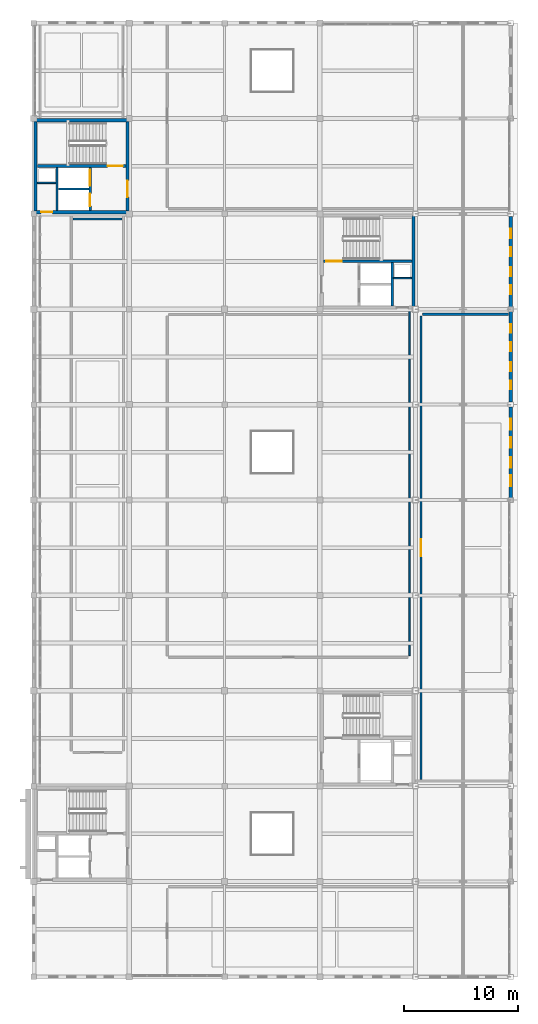
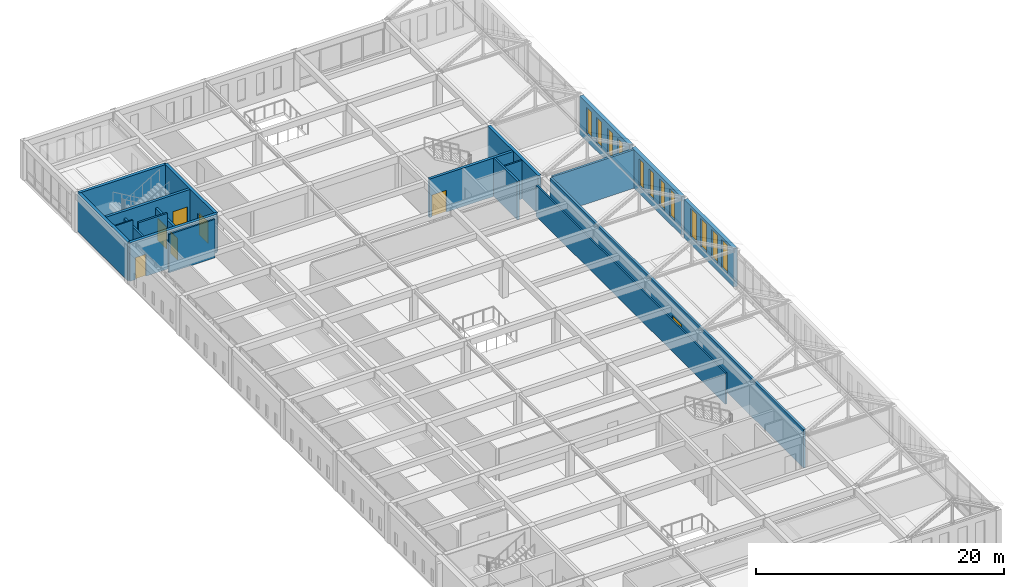
# One storey, part 31 of 36: 20 walls, 12 windows, 7 doors, 19 openings.
"""IFC4 building model written with IfcOpenShell, lengths in metres."""

import ifcopenshell
import ifcopenshell.guid

model = None  # the IFC model being written
_history = None  # IfcOwnerHistory: only IFC2X3 demands one
_inside = {}  # id of a spatial element -> (the spatial element, [elements in it])
_under = {}  # id of a project, library or spatial element -> (it, [spatial elements below it])
_declared = {}  # id of a project -> (the project, [libraries it declares])
_typed = {}  # id of a type object -> (the type object, [elements of that type])
_made_of = {}  # id of a material, layer set ... -> (it, [elements and type objects made of it])


def new_model(schema):
    """Start an empty IFC model of exactly this schema.

    Asked for "IFC4X3", IfcOpenShell would pick the latest addendum, in which some entities
    have other attributes; the version numbers below select the first issue.
    IFC2X3 requires an IfcOwnerHistory on every rooted entity: one is made here for all.
    """
    global model, _history
    if schema == "IFC4X3":
        model = ifcopenshell.file(schema_version=(4, 3, 0, 0))
    else:
        model = ifcopenshell.file(schema=schema)
    _inside.clear()
    _under.clear()
    _declared.clear()
    _typed.clear()
    _made_of.clear()
    _history = None
    if model.schema == "IFC2X3":
        org = make("IfcOrganization", Name="unknown")
        user = make(
            "IfcPersonAndOrganization",
            ThePerson=make("IfcPerson", FamilyName="unknown"),
            TheOrganization=org,
        )
        app = make(
            "IfcApplication",
            ApplicationDeveloper=org,
            Version="unknown",
            ApplicationFullName="unknown",
            ApplicationIdentifier="unknown",
        )
        _history = make(
            "IfcOwnerHistory",
            OwningUser=user,
            OwningApplication=app,
            ChangeAction="ADDED",
            CreationDate=0,
        )
    return model


def make(cls, **values):
    """One entity of the class cls with the attributes given. An attribute that is None is left unset."""
    return model.create_entity(
        cls, **{name: value for name, value in values.items() if value is not None}
    )


def rooted(cls, **values):
    """An entity with a GlobalId (a new one), such as an element, a storey or a relation."""
    return make(cls, GlobalId=ifcopenshell.guid.new(), OwnerHistory=_history, **values)


def si_unit(unit_type, name, prefix=None):
    """IfcSIUnit, for example si_unit("LENGTHUNIT", "METRE", prefix="MILLI")."""
    return make("IfcSIUnit", UnitType=unit_type, Prefix=prefix, Name=name)


def assignment(units):
    """IfcUnitAssignment: the units of a project."""
    return None if units is None else make("IfcUnitAssignment", Units=units)


def point(xyz):
    """IfcCartesianPoint."""
    return None if xyz is None else make("IfcCartesianPoint", Coordinates=xyz)


def direction(xyz):
    """IfcDirection."""
    return None if xyz is None else make("IfcDirection", DirectionRatios=xyz)


def frame(location, z_axis=None, x_axis=None):
    """IfcAxis2Placement3D, a coordinate frame: its origin and axes. An axis left out is left unset."""
    return make(
        "IfcAxis2Placement3D",
        Location=point(location),
        Axis=direction(z_axis),
        RefDirection=direction(x_axis),
    )


def frame_2d(location, x_axis=None):
    """IfcAxis2Placement2D, a coordinate frame in the plane: its origin and x axis."""
    return make(
        "IfcAxis2Placement2D", Location=point(location), RefDirection=direction(x_axis)
    )


def origin():
    """The frame at (0, 0, 0) with its axes left unset."""
    return frame((0.0, 0.0, 0.0))


def place(relative_to, where):
    """IfcLocalPlacement: puts the frame where relative to a parent placement (None: the world)."""
    return make(
        "IfcLocalPlacement", PlacementRelTo=relative_to, RelativePlacement=where
    )


def context(
    kind, dimensions, precision=None, world=None, true_north=None, identifier=None
):
    """IfcGeometricRepresentationContext, for example the 3D "Model" context."""
    return make(
        "IfcGeometricRepresentationContext",
        ContextIdentifier=identifier,
        ContextType=kind,
        CoordinateSpaceDimension=dimensions,
        Precision=precision,
        WorldCoordinateSystem=world,
        TrueNorth=true_north,
    )


def subcontext(parent, identifier, kind, view, scale=None):
    """IfcGeometricRepresentationSubContext, for example "Body" below "Model"."""
    return make(
        "IfcGeometricRepresentationSubContext",
        ContextIdentifier=identifier,
        ContextType=kind,
        ParentContext=parent,
        TargetScale=scale,
        TargetView=view,
    )


def project(units=None, contexts=None):
    """IfcProject with its units and contexts."""
    return rooted(
        "IfcProject",
        Name="project",
        RepresentationContexts=contexts,
        UnitsInContext=assignment(units),
    )


def spatial(cls, under=None, at=None, **own):
    """A site, building, storey or space (cls), placed at a placement, below another one or the project."""
    s = rooted(cls, ObjectPlacement=at, **own)
    if under is not None:
        _under.setdefault(under.id(), (under, []))[1].append(s)
    return s


def profile(cls, at=None, kind="AREA", **sizes):
    """A parametric profile (cls). Its sizes go by their IFC names, for example OverallWidth=200.0."""
    return make(cls, ProfileType=kind, Position=at, **sizes)


def rectangle(**sizes):
    """IfcRectangleProfileDef."""
    return profile("IfcRectangleProfileDef", **sizes)


def extrude(swept, where, along, depth):
    """IfcExtrudedAreaSolid: the profile swept, set in the frame where, extruded along a direction by depth."""
    return make(
        "IfcExtrudedAreaSolid",
        SweptArea=swept,
        Position=where,
        ExtrudedDirection=direction(along),
        Depth=depth,
    )


def shape(context_of_items, identifier, shape_type, items):
    """IfcShapeRepresentation: the items that make up one representation, for example the "Body"."""
    return make(
        "IfcShapeRepresentation",
        ContextOfItems=context_of_items,
        RepresentationIdentifier=identifier,
        RepresentationType=shape_type,
        Items=items,
    )


def material(Name=None, Category=None):
    """IfcMaterial."""
    return make("IfcMaterial", Name=Name, Category=Category)


def layer(
    of_material, thickness, ventilated=None, Name=None, Category=None, Priority=None
):
    """IfcMaterialLayer: one layer of a wall or slab, of a material (None: an air gap)."""
    return make(
        "IfcMaterialLayer",
        Material=of_material,
        LayerThickness=thickness,
        IsVentilated=ventilated,
        Name=Name,
        Category=Category,
        Priority=Priority,
    )


def layer_set(layers, Name=None):
    """IfcMaterialLayerSet."""
    return make("IfcMaterialLayerSet", MaterialLayers=layers, LayerSetName=Name)


def made_of(thing, what):
    """Note that an element or type object is made of a material, layer set ...; save() writes the relation."""
    if what is not None:
        _made_of.setdefault(what.id(), (what, []))[1].append(thing)
    return thing


def type_object(cls, material=None, **own):
    """A type object (cls), such as IfcWallType, which elements share."""
    return made_of(rooted(cls, **own), material)


def element(
    cls,
    number,
    at=None,
    inside=None,
    cuts=None,
    type_object=None,
    material=None,
    context=None,
    identifier="Body",
    shape_type=None,
    held_by="IfcProductDefinitionShape",
    body=None,
    shapes=None,
    **own,
):
    """One element of the class cls, such as IfcWall. Its Tag is "e" and its number.

    at: its placement. inside: the storey or other place that contains it. cuts: it is an
    opening in that element (IfcRelVoidsElement). A single representation is given by context,
    identifier, shape_type and body (its items); several are given by shapes. held_by: the class
    of the entity that holds the representations. save() writes the other relations.
    """
    e = rooted(cls, Tag="e%d" % number, ObjectPlacement=at, **own)
    if body is not None:
        shapes = [shape(context, identifier, shape_type, body)]
    if shapes is not None:
        e.Representation = make(held_by, Representations=shapes)
    if inside is not None:
        _inside.setdefault(inside.id(), (inside, []))[1].append(e)
    if cuts is not None:
        rooted(
            "IfcRelVoidsElement", RelatingBuildingElement=cuts, RelatedOpeningElement=e
        )
    if type_object is not None:
        _typed.setdefault(type_object.id(), (type_object, []))[1].append(e)
    return made_of(e, material)


def fill(opening, filler):
    """IfcRelFillsElement: the door or window that sits in an opening."""
    return rooted(
        "IfcRelFillsElement",
        RelatingOpeningElement=opening,
        RelatedBuildingElement=filler,
    )


def aggregate(whole, parts):
    """IfcRelAggregates: a whole, such as a stair, and the parts it consists of."""
    return rooted("IfcRelAggregates", RelatingObject=whole, RelatedObjects=parts)


def save(model, path):
    """Write the relations noted so far, then the file.

    IfcRelAggregates (storeys below a building ...), IfcRelContainedInSpatialStructure (elements
    in a storey), IfcRelDefinesByType, IfcRelAssociatesMaterial and IfcRelDeclares: one each for
    every whole, place, type object, material and project.
    """
    for whole, parts in _under.values():
        aggregate(whole, parts)
    for where, things in _inside.values():
        rooted(
            "IfcRelContainedInSpatialStructure",
            RelatedElements=things,
            RelatingStructure=where,
        )
    for kind, things in _typed.values():
        rooted("IfcRelDefinesByType", RelatedObjects=things, RelatingType=kind)
    for what, things in _made_of.values():
        rooted("IfcRelAssociatesMaterial", RelatedObjects=things, RelatingMaterial=what)
    for by, libraries in _declared.values():
        rooted("IfcRelDeclares", RelatingContext=by, RelatedDefinitions=libraries)
    model.write(path)


model = new_model("IFC4")

# Units and contexts
model_context = context("Model", 3, precision=1e-05, world=origin(), true_north=direction((0.0, 1.0)))
body_context = subcontext(model_context, "Body", "Model", "MODEL_VIEW")
ifc_project = project(units=[si_unit("LENGTHUNIT", "METRE"), si_unit("AREAUNIT", "SQUARE_METRE"), si_unit("VOLUMEUNIT", "CUBIC_METRE"), si_unit("PLANEANGLEUNIT", "RADIAN"), si_unit("MASSUNIT", "GRAM", prefix="KILO")], contexts=[model_context])

# Site, building, storey
site_placement = place(None, origin())
site = spatial("IfcSite", under=ifc_project, at=site_placement, CompositionType="ELEMENT")
building_placement = place(site_placement, origin())
building = spatial("IfcBuilding", under=site, at=building_placement, Name="Kveldsbrygga Polytechnic", CompositionType="ELEMENT")
storey_placement = place(building_placement, frame((0.0, 0.0, 22.10009765625)))
storey = spatial("IfcBuildingStorey", under=building, at=storey_placement, Name="L05", CompositionType="ELEMENT", Elevation=22.10009765625)

# Wall, openings, windows
ifc_material_1 = material(Name="Fired clay brick masonry M10", Category="masonry")
ifc_layer_1 = layer(ifc_material_1, 0.340087890625)
ifc_layer_set_1 = layer_set([ifc_layer_1], Name="Fired clay brick masonry M10")
wall_type_1 = type_object("IfcWallType", Name="EW-BRICK-340", PredefinedType="SOLIDWALL", material=ifc_layer_set_1)
wall_1_placement = place(storey_placement, frame((168.0, 58.985107421875, 0.0), z_axis=(0.0, 0.0, 1.0), x_axis=(0.0, 1.0, 0.0)))
wall_1 = element("IfcWall", 1, at=wall_1_placement, inside=storey, type_object=wall_type_1, Name="Exterior Brick Wall EW-L05-Y-20-07", PredefinedType="SOLIDWALL", context=body_context, shape_type="SweptSolid", body=[
    extrude(rectangle(XDim=8.0048828125, YDim=0.340087890625, at=frame_2d((4.00244140625, 0.0))), origin(), (0.0, 0.0, 1.0), 3.77978515625),
])
opening_1_placement = place(wall_1_placement, frame((1.0458984375, 0.0, 0.75)))
opening_1 = element("IfcOpeningElement", 2, at=opening_1_placement, cuts=wall_1, Name="Opening W-46", PredefinedType="OPENING", context=body_context, shape_type="SweptSolid", body=[
    extrude(rectangle(XDim=0.949951171875, YDim=2.800048828125, at=frame_2d((0.47509765625, 1.39990234375))), frame((0.0, 0.18017578125, 0.0), z_axis=(0.0, -1.0, 0.0), x_axis=(1.0, 0.0, 0.0)), (0.0, 0.0, 1.0), 0.360107421875),
])
opening_2_placement = place(wall_1_placement, frame((2.64697265625, 0.0, 0.75)))
opening_2 = element("IfcOpeningElement", 3, at=opening_2_placement, cuts=wall_1, Name="Opening W-46", PredefinedType="OPENING", context=body_context, shape_type="SweptSolid", body=[
    extrude(rectangle(XDim=0.949951171875, YDim=2.800048828125, at=frame_2d((0.47509765625, 1.39990234375))), frame((0.0, 0.18017578125, 0.0), z_axis=(0.0, -1.0, 0.0), x_axis=(1.0, 0.0, 0.0)), (0.0, 0.0, 1.0), 0.360107421875),
])
opening_3_placement = place(wall_1_placement, frame((4.407958984375, 0.0, 0.75)))
opening_3 = element("IfcOpeningElement", 4, at=opening_3_placement, cuts=wall_1, Name="Opening W-46", PredefinedType="OPENING", context=body_context, shape_type="SweptSolid", body=[
    extrude(rectangle(XDim=0.949951171875, YDim=2.800048828125, at=frame_2d((0.47509765625, 1.39990234375))), frame((0.0, 0.18017578125, 0.0), z_axis=(0.0, -1.0, 0.0), x_axis=(1.0, 0.0, 0.0)), (0.0, 0.0, 1.0), 0.360107421875),
])
opening_4_placement = place(wall_1_placement, frame((6.009033203125, 0.0, 0.75)))
opening_4 = element("IfcOpeningElement", 5, at=opening_4_placement, cuts=wall_1, Name="Opening W-46", PredefinedType="OPENING", context=body_context, shape_type="SweptSolid", body=[
    extrude(rectangle(XDim=0.949951171875, YDim=2.800048828125, at=frame_2d((0.47509765625, 1.39990234375))), frame((0.0, 0.18017578125, 0.0), z_axis=(0.0, -1.0, 0.0), x_axis=(1.0, 0.0, 0.0)), (0.0, 0.0, 1.0), 0.360107421875),
])
ifc_material_2 = material(Name="Insulated triple low-E glass", Category="glass")
window_type_1 = type_object("IfcWindowType", Name="WN-LANC-095x280", PartitioningType="DOUBLE_PANEL_VERTICAL", PredefinedType="WINDOW", material=ifc_material_2)
window_1_placement = place(opening_1_placement, origin())
window_1 = element("IfcWindow", 6, at=window_1_placement, inside=storey, type_object=window_type_1, Name="Gothic Lancet Window WIN-L05-Y-20-07-1", OverallHeight=2.800048828125, OverallWidth=0.949951171875, PartitioningType="DOUBLE_PANEL_VERTICAL", PredefinedType="WINDOW", context=body_context, shape_type="SweptSolid", body=[
    extrude(rectangle(XDim=0.949951171875, YDim=2.800048828125, at=frame_2d((0.47509765625, 1.39990234375))), frame((0.0, 0.030029296875, 0.0), z_axis=(0.0, -1.0, 0.0), x_axis=(1.0, 0.0, 0.0)), (0.0, 0.0, 1.0), 0.06005859375),
])
fill(opening_1, window_1)
window_2_placement = place(opening_2_placement, origin())
window_2 = element("IfcWindow", 7, at=window_2_placement, inside=storey, type_object=window_type_1, Name="Gothic Lancet Window WIN-L05-Y-20-07-2", OverallHeight=2.800048828125, OverallWidth=0.949951171875, PartitioningType="DOUBLE_PANEL_VERTICAL", PredefinedType="WINDOW", context=body_context, shape_type="SweptSolid", body=[
    extrude(rectangle(XDim=0.949951171875, YDim=2.800048828125, at=frame_2d((0.47509765625, 1.39990234375))), frame((0.0, 0.030029296875, 0.0), z_axis=(0.0, -1.0, 0.0), x_axis=(1.0, 0.0, 0.0)), (0.0, 0.0, 1.0), 0.06005859375),
])
fill(opening_2, window_2)
window_3_placement = place(opening_3_placement, origin())
window_3 = element("IfcWindow", 8, at=window_3_placement, inside=storey, type_object=window_type_1, Name="Gothic Lancet Window WIN-L05-Y-20-07-3", OverallHeight=2.800048828125, OverallWidth=0.949951171875, PartitioningType="DOUBLE_PANEL_VERTICAL", PredefinedType="WINDOW", context=body_context, shape_type="SweptSolid", body=[
    extrude(rectangle(XDim=0.949951171875, YDim=2.800048828125, at=frame_2d((0.47509765625, 1.39990234375))), frame((0.0, 0.030029296875, 0.0), z_axis=(0.0, -1.0, 0.0), x_axis=(1.0, 0.0, 0.0)), (0.0, 0.0, 1.0), 0.06005859375),
])
fill(opening_3, window_3)
window_4_placement = place(opening_4_placement, origin())
window_4 = element("IfcWindow", 9, at=window_4_placement, inside=storey, type_object=window_type_1, Name="Gothic Lancet Window WIN-L05-Y-20-07-4", OverallHeight=2.800048828125, OverallWidth=0.949951171875, PartitioningType="DOUBLE_PANEL_VERTICAL", PredefinedType="WINDOW", context=body_context, shape_type="SweptSolid", body=[
    extrude(rectangle(XDim=0.949951171875, YDim=2.800048828125, at=frame_2d((0.47509765625, 1.39990234375))), frame((0.0, 0.030029296875, 0.0), z_axis=(0.0, -1.0, 0.0), x_axis=(1.0, 0.0, 0.0)), (0.0, 0.0, 1.0), 0.06005859375),
])
fill(opening_4, window_4)

wall_2_placement = place(storey_placement, frame((168.0, 67.409912109375, 0.0), z_axis=(0.0, 0.0, 1.0), x_axis=(0.0, 1.0, 0.0)))
wall_2 = element("IfcWall", 10, at=wall_2_placement, inside=storey, type_object=wall_type_1, Name="Exterior Brick Wall EW-L05-Y-20-08", PredefinedType="SOLIDWALL", context=body_context, shape_type="SweptSolid", body=[
    extrude(rectangle(XDim=8.005126953125, YDim=0.340087890625, at=frame_2d((4.00244140625, 0.0))), origin(), (0.0, 0.0, 1.0), 3.77978515625),
])
opening_5_placement = place(wall_2_placement, frame((1.140869140625, 0.0, 0.75)))
opening_5 = element("IfcOpeningElement", 11, at=opening_5_placement, cuts=wall_2, Name="Opening W-05", PredefinedType="OPENING", context=body_context, shape_type="SweptSolid", body=[
    extrude(rectangle(XDim=0.760009765625, YDim=2.64990234375, at=frame_2d((0.3798828125, 1.324951171875))), frame((0.0, 0.18017578125, 0.0), z_axis=(0.0, -1.0, 0.0), x_axis=(1.0, 0.0, 0.0)), (0.0, 0.0, 1.0), 0.360107421875),
])
opening_6_placement = place(wall_2_placement, frame((2.741943359375, 0.0, 0.75)))
opening_6 = element("IfcOpeningElement", 12, at=opening_6_placement, cuts=wall_2, Name="Opening W-05", PredefinedType="OPENING", context=body_context, shape_type="SweptSolid", body=[
    extrude(rectangle(XDim=0.760009765625, YDim=2.64990234375, at=frame_2d((0.3798828125, 1.324951171875))), frame((0.0, 0.18017578125, 0.0), z_axis=(0.0, -1.0, 0.0), x_axis=(1.0, 0.0, 0.0)), (0.0, 0.0, 1.0), 0.360107421875),
])
opening_7_placement = place(wall_2_placement, frame((4.5029296875, 0.0, 0.75)))
opening_7 = element("IfcOpeningElement", 13, at=opening_7_placement, cuts=wall_2, Name="Opening W-05", PredefinedType="OPENING", context=body_context, shape_type="SweptSolid", body=[
    extrude(rectangle(XDim=0.760009765625, YDim=2.64990234375, at=frame_2d((0.3798828125, 1.324951171875))), frame((0.0, 0.18017578125, 0.0), z_axis=(0.0, -1.0, 0.0), x_axis=(1.0, 0.0, 0.0)), (0.0, 0.0, 1.0), 0.360107421875),
])
opening_8_placement = place(wall_2_placement, frame((6.10400390625, 0.0, 0.75)))
opening_8 = element("IfcOpeningElement", 14, at=opening_8_placement, cuts=wall_2, Name="Opening W-05", PredefinedType="OPENING", context=body_context, shape_type="SweptSolid", body=[
    extrude(rectangle(XDim=0.760009765625, YDim=2.64990234375, at=frame_2d((0.3798828125, 1.324951171875))), frame((0.0, 0.18017578125, 0.0), z_axis=(0.0, -1.0, 0.0), x_axis=(1.0, 0.0, 0.0)), (0.0, 0.0, 1.0), 0.360107421875),
])
window_type_2 = type_object("IfcWindowType", Name="WN-LANC-076x265", PartitioningType="DOUBLE_PANEL_VERTICAL", PredefinedType="WINDOW", material=ifc_material_2)
window_5_placement = place(opening_5_placement, origin())
window_5 = element("IfcWindow", 15, at=window_5_placement, inside=storey, type_object=window_type_2, Name="Gothic Lancet Window WIN-L05-Y-20-08-1", OverallHeight=2.64990234375, OverallWidth=0.760009765625, PartitioningType="DOUBLE_PANEL_VERTICAL", PredefinedType="WINDOW", context=body_context, shape_type="SweptSolid", body=[
    extrude(rectangle(XDim=0.760009765625, YDim=2.64990234375, at=frame_2d((0.3798828125, 1.324951171875))), frame((0.0, 0.030029296875, 0.0), z_axis=(0.0, -1.0, 0.0), x_axis=(1.0, 0.0, 0.0)), (0.0, 0.0, 1.0), 0.06005859375),
])
fill(opening_5, window_5)
window_6_placement = place(opening_6_placement, origin())
window_6 = element("IfcWindow", 16, at=window_6_placement, inside=storey, type_object=window_type_2, Name="Gothic Lancet Window WIN-L05-Y-20-08-2", OverallHeight=2.64990234375, OverallWidth=0.760009765625, PartitioningType="DOUBLE_PANEL_VERTICAL", PredefinedType="WINDOW", context=body_context, shape_type="SweptSolid", body=[
    extrude(rectangle(XDim=0.760009765625, YDim=2.64990234375, at=frame_2d((0.3798828125, 1.324951171875))), frame((0.0, 0.030029296875, 0.0), z_axis=(0.0, -1.0, 0.0), x_axis=(1.0, 0.0, 0.0)), (0.0, 0.0, 1.0), 0.06005859375),
])
fill(opening_6, window_6)
window_7_placement = place(opening_7_placement, origin())
window_7 = element("IfcWindow", 17, at=window_7_placement, inside=storey, type_object=window_type_2, Name="Gothic Lancet Window WIN-L05-Y-20-08-3", OverallHeight=2.64990234375, OverallWidth=0.760009765625, PartitioningType="DOUBLE_PANEL_VERTICAL", PredefinedType="WINDOW", context=body_context, shape_type="SweptSolid", body=[
    extrude(rectangle(XDim=0.760009765625, YDim=2.64990234375, at=frame_2d((0.3798828125, 1.324951171875))), frame((0.0, 0.030029296875, 0.0), z_axis=(0.0, -1.0, 0.0), x_axis=(1.0, 0.0, 0.0)), (0.0, 0.0, 1.0), 0.06005859375),
])
fill(opening_7, window_7)
window_8_placement = place(opening_8_placement, origin())
window_8 = element("IfcWindow", 18, at=window_8_placement, inside=storey, type_object=window_type_2, Name="Gothic Lancet Window WIN-L05-Y-20-08-4", OverallHeight=2.64990234375, OverallWidth=0.760009765625, PartitioningType="DOUBLE_PANEL_VERTICAL", PredefinedType="WINDOW", context=body_context, shape_type="SweptSolid", body=[
    extrude(rectangle(XDim=0.760009765625, YDim=2.64990234375, at=frame_2d((0.3798828125, 1.324951171875))), frame((0.0, 0.030029296875, 0.0), z_axis=(0.0, -1.0, 0.0), x_axis=(1.0, 0.0, 0.0)), (0.0, 0.0, 1.0), 0.06005859375),
])
fill(opening_8, window_8)

wall_3_placement = place(storey_placement, frame((168.0, 75.784912109375, 0.0), z_axis=(0.0, 0.0, 1.0), x_axis=(0.0, 1.0, 0.0)))
wall_3 = element("IfcWall", 19, at=wall_3_placement, inside=storey, type_object=wall_type_1, Name="Exterior Brick Wall EW-L05-Y-20-09", PredefinedType="SOLIDWALL", context=body_context, shape_type="SweptSolid", body=[
    extrude(rectangle(XDim=8.005126953125, YDim=0.340087890625, at=frame_2d((4.00244140625, 0.0))), origin(), (0.0, 0.0, 1.0), 3.77978515625),
])
opening_9_placement = place(wall_3_placement, frame((1.120849609375, 0.0, 0.75)))
opening_9 = element("IfcOpeningElement", 20, at=opening_9_placement, cuts=wall_3, Name="Opening W-10", PredefinedType="OPENING", context=body_context, shape_type="SweptSolid", body=[
    extrude(rectangle(XDim=0.800048828125, YDim=2.550048828125, at=frame_2d((0.39990234375, 1.27490234375))), frame((0.0, 0.18017578125, 0.0), z_axis=(0.0, -1.0, 0.0), x_axis=(1.0, 0.0, 0.0)), (0.0, 0.0, 1.0), 0.360107421875),
])
opening_10_placement = place(wall_3_placement, frame((2.721923828125, 0.0, 0.75)))
opening_10 = element("IfcOpeningElement", 21, at=opening_10_placement, cuts=wall_3, Name="Opening W-10", PredefinedType="OPENING", context=body_context, shape_type="SweptSolid", body=[
    extrude(rectangle(XDim=0.800048828125, YDim=2.550048828125, at=frame_2d((0.39990234375, 1.27490234375))), frame((0.0, 0.18017578125, 0.0), z_axis=(0.0, -1.0, 0.0), x_axis=(1.0, 0.0, 0.0)), (0.0, 0.0, 1.0), 0.360107421875),
])
opening_11_placement = place(wall_3_placement, frame((4.483154296875, 0.0, 0.75)))
opening_11 = element("IfcOpeningElement", 22, at=opening_11_placement, cuts=wall_3, Name="Opening W-10", PredefinedType="OPENING", context=body_context, shape_type="SweptSolid", body=[
    extrude(rectangle(XDim=0.800048828125, YDim=2.550048828125, at=frame_2d((0.39990234375, 1.27490234375))), frame((0.0, 0.18017578125, 0.0), z_axis=(0.0, -1.0, 0.0), x_axis=(1.0, 0.0, 0.0)), (0.0, 0.0, 1.0), 0.360107421875),
])
opening_12_placement = place(wall_3_placement, frame((6.083984375, 0.0, 0.75)))
opening_12 = element("IfcOpeningElement", 23, at=opening_12_placement, cuts=wall_3, Name="Opening W-10", PredefinedType="OPENING", context=body_context, shape_type="SweptSolid", body=[
    extrude(rectangle(XDim=0.800048828125, YDim=2.550048828125, at=frame_2d((0.39990234375, 1.27490234375))), frame((0.0, 0.18017578125, 0.0), z_axis=(0.0, -1.0, 0.0), x_axis=(1.0, 0.0, 0.0)), (0.0, 0.0, 1.0), 0.360107421875),
])
window_type_3 = type_object("IfcWindowType", Name="WN-LANC-080x255", PartitioningType="DOUBLE_PANEL_VERTICAL", PredefinedType="WINDOW", material=ifc_material_2)
window_9_placement = place(opening_9_placement, origin())
window_9 = element("IfcWindow", 24, at=window_9_placement, inside=storey, type_object=window_type_3, Name="Gothic Lancet Window WIN-L05-Y-20-09-1", OverallHeight=2.550048828125, OverallWidth=0.800048828125, PartitioningType="DOUBLE_PANEL_VERTICAL", PredefinedType="WINDOW", context=body_context, shape_type="SweptSolid", body=[
    extrude(rectangle(XDim=0.800048828125, YDim=2.550048828125, at=frame_2d((0.39990234375, 1.27490234375))), frame((0.0, 0.030029296875, 0.0), z_axis=(0.0, -1.0, 0.0), x_axis=(1.0, 0.0, 0.0)), (0.0, 0.0, 1.0), 0.06005859375),
])
fill(opening_9, window_9)
window_10_placement = place(opening_10_placement, origin())
window_10 = element("IfcWindow", 25, at=window_10_placement, inside=storey, type_object=window_type_3, Name="Gothic Lancet Window WIN-L05-Y-20-09-2", OverallHeight=2.550048828125, OverallWidth=0.800048828125, PartitioningType="DOUBLE_PANEL_VERTICAL", PredefinedType="WINDOW", context=body_context, shape_type="SweptSolid", body=[
    extrude(rectangle(XDim=0.800048828125, YDim=2.550048828125, at=frame_2d((0.39990234375, 1.27490234375))), frame((0.0, 0.030029296875, 0.0), z_axis=(0.0, -1.0, 0.0), x_axis=(1.0, 0.0, 0.0)), (0.0, 0.0, 1.0), 0.06005859375),
])
fill(opening_10, window_10)
window_11_placement = place(opening_11_placement, origin())
window_11 = element("IfcWindow", 26, at=window_11_placement, inside=storey, type_object=window_type_3, Name="Gothic Lancet Window WIN-L05-Y-20-09-3", OverallHeight=2.550048828125, OverallWidth=0.800048828125, PartitioningType="DOUBLE_PANEL_VERTICAL", PredefinedType="WINDOW", context=body_context, shape_type="SweptSolid", body=[
    extrude(rectangle(XDim=0.800048828125, YDim=2.550048828125, at=frame_2d((0.39990234375, 1.27490234375))), frame((0.0, 0.030029296875, 0.0), z_axis=(0.0, -1.0, 0.0), x_axis=(1.0, 0.0, 0.0)), (0.0, 0.0, 1.0), 0.06005859375),
])
fill(opening_11, window_11)
window_12_placement = place(opening_12_placement, origin())
window_12 = element("IfcWindow", 27, at=window_12_placement, inside=storey, type_object=window_type_3, Name="Gothic Lancet Window WIN-L05-Y-20-09-4", OverallHeight=2.550048828125, OverallWidth=0.800048828125, PartitioningType="DOUBLE_PANEL_VERTICAL", PredefinedType="WINDOW", context=body_context, shape_type="SweptSolid", body=[
    extrude(rectangle(XDim=0.800048828125, YDim=2.550048828125, at=frame_2d((0.39990234375, 1.27490234375))), frame((0.0, 0.030029296875, 0.0), z_axis=(0.0, -1.0, 0.0), x_axis=(1.0, 0.0, 0.0)), (0.0, 0.0, 1.0), 0.06005859375),
])
fill(opening_12, window_12)

# Wall, opening, door
ifc_layer_2 = layer(ifc_material_1, 0.199951171875)
ifc_layer_set_2 = layer_set([ifc_layer_2], Name="Fired clay brick masonry M10")
wall_type_2 = type_object("IfcWallType", Name="IW-LAB-200", PredefinedType="PARTITIONING", material=ifc_layer_set_2)
wall_4_placement = place(storey_placement, frame((160.10009765625, 34.199951171875, 0.0), z_axis=(0.0, 0.0, 1.0), x_axis=(0.0, 1.0, 0.0)))
wall_4 = element("IfcWall", 28, at=wall_4_placement, inside=storey, type_object=wall_type_2, Name="Partition Wall IW-SP-L05-LAB51-W1", PredefinedType="PARTITIONING", context=body_context, shape_type="SweptSolid", body=[
    extrude(rectangle(XDim=40.800048828125, YDim=0.199951171875, at=frame_2d((20.39990234375, 0.0))), origin(), (0.0, 0.0, 1.0), 3.77978515625),
])
opening_13_placement = place(wall_4_placement, frame((19.64990234375, 0.0, 0.0)))
opening_13 = element("IfcOpeningElement", 29, at=opening_13_placement, cuts=wall_4, Name="Opening ID-L05-094", PredefinedType="OPENING", context=body_context, shape_type="SweptSolid", body=[
    extrude(rectangle(XDim=1.5, YDim=2.199951171875, at=frame_2d((0.75, 1.10009765625))), frame((0.0, 0.10986328125, 0.0), z_axis=(0.0, -1.0, 0.0), x_axis=(1.0, 0.0, 0.0)), (0.0, 0.0, 1.0), 0.219970703125),
])
ifc_material_3 = material(Name="Acoustic oak timber", Category="wood")
door_type_1 = type_object("IfcDoorType", Name="ID-LAB-150x220", OperationType="DOUBLE_DOOR_SINGLE_SWING", PredefinedType="DOOR", material=ifc_material_3)
door_1_placement = place(opening_13_placement, origin())
door_1 = element("IfcDoor", 30, at=door_1_placement, inside=storey, type_object=door_type_1, Name="Interior Door ID-L05-094", OperationType="DOUBLE_DOOR_SINGLE_SWING", OverallHeight=2.199951171875, OverallWidth=1.5, PredefinedType="DOOR", context=body_context, shape_type="SweptSolid", body=[
    extrude(rectangle(XDim=1.5, YDim=2.199951171875, at=frame_2d((0.75, 1.10009765625))), frame((0.0, 0.02490234375, 0.0), z_axis=(0.0, -1.0, 0.0), x_axis=(1.0, 0.0, 0.0)), (0.0, 0.0, 1.0), 0.050048828125),
])
fill(opening_13, door_1)

# Walls
wall_5_placement = place(storey_placement, frame((160.25, 75.14990234375, 0.0), z_axis=(0.0, 0.0, 1.0), x_axis=(1.0, 0.0, 0.0)))
element("IfcWall", 31, at=wall_5_placement, inside=storey, type_object=wall_type_2, Name="Partition Wall IW-SP-L05-LAB51-N1", PredefinedType="PARTITIONING", context=body_context, shape_type="SweptSolid", body=[
    extrude(rectangle(XDim=7.570068359375, YDim=0.199951171875, at=frame_2d((3.78515625, 0.0))), origin(), (0.0, 0.0, 1.0), 3.77978515625),
])
ifc_material_4 = material(Name="Gypsum acoustic stud partition")
ifc_layer_3 = layer(ifc_material_4, 0.139892578125)
ifc_layer_set_3 = layer_set([ifc_layer_3], Name="Gypsum acoustic stud partition")
wall_type_3 = type_object("IfcWallType", Name="IW-OFF-140", PredefinedType="PARTITIONING", material=ifc_layer_set_3)
wall_6_placement = place(storey_placement, frame((159.10009765625, 45.10009765625, 0.0), z_axis=(0.0, 0.0, 1.0), x_axis=(0.0, 1.0, 0.0)))
element("IfcWall", 32, at=wall_6_placement, inside=storey, type_object=wall_type_3, Name="Partition Wall IW-SP-L05-OFF51-E1", PredefinedType="PARTITIONING", context=body_context, shape_type="SweptSolid", body=[
    extrude(rectangle(XDim=30.469970703125, YDim=0.139892578125, at=frame_2d((15.23486328125, 0.0))), origin(), (0.0, 0.0, 1.0), 3.079833984375),
])
ifc_material_5 = material(Name="Moisture-resistant masonry M10", Category="masonry")
ifc_layer_4 = layer(ifc_material_5, 0.1298828125)
ifc_layer_set_4 = layer_set([ifc_layer_4], Name="Moisture-resistant masonry M10")
wall_type_4 = type_object("IfcWallType", Name="IW-SAN-130", PredefinedType="PARTITIONING", material=ifc_layer_set_4)
wall_7_placement = place(storey_placement, frame((126.320068359375, 86.739990234375, 0.0), z_axis=(0.0, 0.0, 1.0), x_axis=(1.0, 0.0, 0.0)))
element("IfcWall", 33, at=wall_7_placement, inside=storey, type_object=wall_type_4, Name="Core AWC Divider C2-L05-W-RSR", PredefinedType="PARTITIONING", context=body_context, shape_type="SweptSolid", body=[
    extrude(rectangle(XDim=1.619873046875, YDim=0.1298828125, at=frame_2d((0.81005859375, 0.0))), origin(), (0.0, 0.0, 1.0), 3.77978515625),
])
wall_8_placement = place(storey_placement, frame((157.659912109375, 78.340087890625, 0.0), z_axis=(0.0, 0.0, 1.0), x_axis=(1.0, 0.0, 0.0)))
element("IfcWall", 34, at=wall_8_placement, inside=storey, type_object=wall_type_4, Name="Core AWC Divider C4-L05-W-RSR", PredefinedType="PARTITIONING", context=body_context, shape_type="SweptSolid", body=[
    extrude(rectangle(XDim=1.6201171875, YDim=0.1298828125, at=frame_2d((0.81005859375, 0.0))), origin(), (0.0, 0.0, 1.0), 3.77978515625),
])
ifc_layer_5 = layer(ifc_material_4, 0.14990234375)
ifc_layer_set_5 = layer_set([ifc_layer_5], Name="Gypsum acoustic stud partition")
wall_type_5 = type_object("IfcWallType", Name="IW-SEM-150", PredefinedType="PARTITIONING", material=ifc_layer_set_5)
wall_9_placement = place(storey_placement, frame((129.449951171875, 83.550048828125, 0.0), z_axis=(0.0, 0.0, 1.0), x_axis=(1.0, 0.0, 0.0)))
element("IfcWall", 35, at=wall_9_placement, inside=storey, type_object=wall_type_5, Name="Partition Wall IW-SP-L05-SEM51-N1", PredefinedType="PARTITIONING", context=body_context, shape_type="SweptSolid", body=[
    extrude(rectangle(XDim=4.300048828125, YDim=0.14990234375, at=frame_2d((2.14990234375, 0.0))), origin(), (0.0, 0.0, 1.0), 3.77978515625),
])

# Wall, opening, door
ifc_material_6 = material(Name="Concrete C45/55", Category="concrete")
ifc_layer_6 = layer(ifc_material_6, 0.25)
ifc_layer_set_6 = layer_set([ifc_layer_6], Name="Concrete C45/55")
wall_type_6 = type_object("IfcWallType", Name="WL-CORE-250", PredefinedType="SHEAR", material=ifc_layer_set_6)
wall_10_placement = place(storey_placement, frame((126.300048828125, 88.22998046875, 0.0), z_axis=(0.0, 0.0, 1.0), x_axis=(1.0, 0.0, 0.0)))
wall_10 = element("IfcWall", 36, at=wall_10_placement, inside=storey, type_object=wall_type_6, Name="Core C2 Shear Wall C2-L05-W-DIV", PredefinedType="SHEAR", context=body_context, shape_type="SweptSolid", body=[
    extrude(rectangle(XDim=7.800048828125, YDim=0.25, at=frame_2d((3.89990234375, 0.0))), origin(), (0.0, 0.0, 1.0), 3.77978515625),
])
opening_14_placement = place(wall_10_placement, frame((6.199951171875, 0.0, 0.0)))
opening_14 = element("IfcOpeningElement", 37, at=opening_14_placement, cuts=wall_10, Name="Opening FD-C2-L05-ST", PredefinedType="OPENING", context=body_context, shape_type="SweptSolid", body=[
    extrude(rectangle(XDim=1.35009765625, YDim=2.14990234375, at=frame_2d((0.675048828125, 1.074951171875))), frame((0.0, 0.135009765625, 0.0), z_axis=(0.0, -1.0, 0.0), x_axis=(1.0, 0.0, 0.0)), (0.0, 0.0, 1.0), 0.27001953125),
])
ifc_material_7 = material(Name="Powder-coated galvanised steel", Category="steel")
door_type_2 = type_object("IfcDoorType", Name="ID-STAIR-135x215", OperationType="NOTDEFINED", PredefinedType="DOOR", material=ifc_material_7)
door_2_placement = place(opening_14_placement, origin())
door_2 = element("IfcDoor", 38, at=door_2_placement, inside=storey, type_object=door_type_2, Name="Stair Fire Door FD-C2-L05-ST", OperationType="SINGLE_SWING_LEFT", OverallHeight=2.14990234375, OverallWidth=1.35009765625, PredefinedType="DOOR", context=body_context, shape_type="SweptSolid", body=[
    extrude(rectangle(XDim=1.35009765625, YDim=2.14990234375, at=frame_2d((0.675048828125, 1.074951171875))), frame((0.0, 0.02490234375, 0.0), z_axis=(0.0, -1.0, 0.0), x_axis=(1.0, 0.0, 0.0)), (0.0, 0.0, 1.0), 0.050048828125),
])
fill(opening_14, door_2)

wall_11_placement = place(storey_placement, frame((151.5, 79.830078125, 0.0), z_axis=(0.0, 0.0, 1.0), x_axis=(1.0, 0.0, 0.0)))
wall_11 = element("IfcWall", 39, at=wall_11_placement, inside=storey, type_object=wall_type_6, Name="Core C4 Shear Wall C4-L05-W-DIV", PredefinedType="SHEAR", context=body_context, shape_type="SweptSolid", body=[
    extrude(rectangle(XDim=7.800048828125, YDim=0.25, at=frame_2d((3.89990234375, 0.0))), origin(), (0.0, 0.0, 1.0), 3.77978515625),
])
opening_15_placement = place(wall_11_placement, frame((0.25, 0.0, 0.0)))
opening_15 = element("IfcOpeningElement", 40, at=opening_15_placement, cuts=wall_11, Name="Opening FD-C4-L05-ST", PredefinedType="OPENING", context=body_context, shape_type="SweptSolid", body=[
    extrude(rectangle(XDim=1.35009765625, YDim=2.14990234375, at=frame_2d((0.675048828125, 1.074951171875))), frame((0.0, 0.135009765625, 0.0), z_axis=(0.0, -1.0, 0.0), x_axis=(1.0, 0.0, 0.0)), (0.0, 0.0, 1.0), 0.27001953125),
])
door_3_placement = place(opening_15_placement, origin())
door_3 = element("IfcDoor", 41, at=door_3_placement, inside=storey, type_object=door_type_2, Name="Stair Fire Door FD-C4-L05-ST", OperationType="SINGLE_SWING_LEFT", OverallHeight=2.14990234375, OverallWidth=1.35009765625, PredefinedType="DOOR", context=body_context, shape_type="SweptSolid", body=[
    extrude(rectangle(XDim=1.35009765625, YDim=2.14990234375, at=frame_2d((0.675048828125, 1.074951171875))), frame((0.0, 0.02490234375, 0.0), z_axis=(0.0, -1.0, 0.0), x_axis=(1.0, 0.0, 0.0)), (0.0, 0.0, 1.0), 0.050048828125),
])
fill(opening_15, door_3)

ifc_layer_7 = layer(ifc_material_6, 0.280029296875)
ifc_layer_set_7 = layer_set([ifc_layer_7], Name="Concrete C45/55")
wall_type_7 = type_object("IfcWallType", Name="WL-CORE-280", PredefinedType="SHEAR", material=ifc_layer_set_7)
wall_12_placement = place(storey_placement, frame((126.14990234375, 84.14990234375, 0.0), z_axis=(0.0, 0.0, 1.0), x_axis=(1.0, 0.0, 0.0)))
wall_12 = element("IfcWall", 42, at=wall_12_placement, inside=storey, type_object=wall_type_7, Name="Core C2 Shear Wall C2-L05-SW-S", PredefinedType="SHEAR", context=body_context, shape_type="SweptSolid", body=[
    extrude(rectangle(XDim=8.10009765625, YDim=0.280029296875, at=frame_2d((4.050048828125, 0.0))), origin(), (0.0, 0.0, 1.0), 3.77978515625),
])
opening_16_placement = place(wall_12_placement, frame((0.485107421875, 0.0, 0.0)))
opening_16 = element("IfcOpeningElement", 43, at=opening_16_placement, cuts=wall_12, Name="Opening ID-C2-L05-AWC", PredefinedType="OPENING", context=body_context, shape_type="SweptSolid", body=[
    extrude(rectangle(XDim=1.0, YDim=2.14990234375, at=frame_2d((0.5, 1.074951171875))), frame((0.0, 0.14990234375, 0.0), z_axis=(0.0, -1.0, 0.0), x_axis=(1.0, 0.0, 0.0)), (0.0, 0.0, 1.0), 0.300048828125),
])
door_type_3 = type_object("IfcDoorType", Name="ID-AWC-100x215", OperationType="NOTDEFINED", PredefinedType="DOOR", material=ifc_material_3)
door_4_placement = place(opening_16_placement, origin())
door_4 = element("IfcDoor", 44, at=door_4_placement, inside=storey, type_object=door_type_3, Name="Accessible WC Door ID-C2-L05-AWC", OperationType="SINGLE_SWING_RIGHT", OverallHeight=2.14990234375, OverallWidth=1.0, PredefinedType="DOOR", context=body_context, shape_type="SweptSolid", body=[
    extrude(rectangle(XDim=1.0, YDim=2.14990234375, at=frame_2d((0.5, 1.074951171875))), frame((0.0, 0.02490234375, 0.0), z_axis=(0.0, -1.0, 0.0), x_axis=(1.0, 0.0, 0.0)), (0.0, 0.0, 1.0), 0.050048828125),
])
fill(opening_16, door_4)

# Walls
for number, where, z_axis, x_axis, name in (
    (45, (126.14990234375, 92.25, 0.0), (0.0, 0.0, 1.0), (1.0, 0.0, 0.0), "Core C2 Shear Wall C2-L05-SW-N"),
    (46, (126.14990234375, 84.14990234375, 0.0), (0.0, 0.0, 1.0), (0.0, 1.0, 0.0), "Core C2 Shear Wall C2-L05-SW-W"),
):
    element("IfcWall", number, at=place(storey_placement, frame(where, z_axis=z_axis, x_axis=x_axis)), inside=storey, type_object=wall_type_7, Name=name, PredefinedType="SHEAR", context=body_context, shape_type="SweptSolid", body=[
        extrude(rectangle(XDim=8.10009765625, YDim=0.280029296875, at=frame_2d((4.050048828125, 0.0))), origin(), (0.0, 0.0, 1.0), 3.77978515625),
    ])

# Wall, opening, door
wall_13_placement = place(storey_placement, frame((134.25, 84.14990234375, 0.0), z_axis=(0.0, 0.0, 1.0), x_axis=(0.0, 1.0, 0.0)))
wall_13 = element("IfcWall", 47, at=wall_13_placement, inside=storey, type_object=wall_type_7, Name="Core C2 Shear Wall C2-L05-SW-E", PredefinedType="SHEAR", context=body_context, shape_type="SweptSolid", body=[
    extrude(rectangle(XDim=8.10009765625, YDim=0.280029296875, at=frame_2d((4.050048828125, 0.0))), origin(), (0.0, 0.0, 1.0), 3.77978515625),
])
opening_17_placement = place(wall_13_placement, frame((1.324951171875, 0.0, 0.0)))
opening_17 = element("IfcOpeningElement", 48, at=opening_17_placement, cuts=wall_13, Name="Opening FD-C2-L05-LOB", PredefinedType="OPENING", context=body_context, shape_type="SweptSolid", body=[
    extrude(rectangle(XDim=1.449951171875, YDim=2.14990234375, at=frame_2d((0.72509765625, 1.074951171875))), frame((0.0, 0.14990234375, 0.0), z_axis=(0.0, -1.0, 0.0), x_axis=(1.0, 0.0, 0.0)), (0.0, 0.0, 1.0), 0.300048828125),
])
door_type_4 = type_object("IfcDoorType", Name="ID-LOBBY-145x215", OperationType="DOUBLE_DOOR_SINGLE_SWING", PredefinedType="DOOR", material=ifc_material_7)
door_5_placement = place(opening_17_placement, origin())
door_5 = element("IfcDoor", 49, at=door_5_placement, inside=storey, type_object=door_type_4, Name="Core Lobby Fire Door FD-C2-L05-LOB", OperationType="DOUBLE_DOOR_SINGLE_SWING", OverallHeight=2.14990234375, OverallWidth=1.449951171875, PredefinedType="DOOR", context=body_context, shape_type="SweptSolid", body=[
    extrude(rectangle(XDim=1.449951171875, YDim=2.14990234375, at=frame_2d((0.72509765625, 1.074951171875))), frame((0.0, 0.02490234375, 0.0), z_axis=(0.0, -1.0, 0.0), x_axis=(1.0, 0.0, 0.0)), (0.0, 0.0, 1.0), 0.050048828125),
])
fill(opening_17, door_5)

# Walls
wall_14_placement = place(storey_placement, frame((159.449951171875, 75.75, 0.0), z_axis=(0.0, 0.0, 1.0), x_axis=(0.0, 1.0, 0.0)))
element("IfcWall", 50, at=wall_14_placement, inside=storey, type_object=wall_type_7, Name="Core C4 Shear Wall C4-L05-SW-E", PredefinedType="SHEAR", context=body_context, shape_type="SweptSolid", body=[
    extrude(rectangle(XDim=8.10009765625, YDim=0.280029296875, at=frame_2d((4.050048828125, 0.0))), origin(), (0.0, 0.0, 1.0), 3.77978515625),
])
ifc_material_8 = material(Name="Concrete C35/45", Category="concrete")
ifc_layer_8 = layer(ifc_material_8, 0.179931640625)
ifc_layer_set_8 = layer_set([ifc_layer_8], Name="Concrete C35/45")
wall_type_8 = type_object("IfcWallType", Name="WL-SHFT-180", PredefinedType="SHEAR", material=ifc_layer_set_8)
wall_15_placement = place(storey_placement, frame((128.14990234375, 86.199951171875, 0.0), z_axis=(0.0, 0.0, 1.0), x_axis=(1.0, 0.0, 0.0)))
element("IfcWall", 51, at=wall_15_placement, inside=storey, type_object=wall_type_8, Name="Lift Divider Wall C2-L05-W-LMID", PredefinedType="SHEAR", context=body_context, shape_type="SweptSolid", body=[
    extrude(rectangle(XDim=2.7001953125, YDim=0.179931640625, at=frame_2d((1.35009765625, 0.0))), origin(), (0.0, 0.0, 1.0), 3.77978515625),
])

# Wall, openings, doors
ifc_layer_9 = layer(ifc_material_8, 0.199951171875)
ifc_layer_set_9 = layer_set([ifc_layer_9], Name="Concrete C35/45")
wall_type_9 = type_object("IfcWallType", Name="WL-SHFT-200", PredefinedType="SHEAR", material=ifc_layer_set_9)
wall_16_placement = place(storey_placement, frame((130.9599609375, 84.300048828125, 0.0), z_axis=(0.0, 0.0, 1.0), x_axis=(0.0, 1.0, 0.0)))
wall_16 = element("IfcWall", 52, at=wall_16_placement, inside=storey, type_object=wall_type_9, Name="Lift Front Wall C2-L05-W-LFR", PredefinedType="SHEAR", context=body_context, shape_type="SweptSolid", body=[
    extrude(rectangle(XDim=3.800048828125, YDim=0.199951171875, at=frame_2d((1.89990234375, 0.0))), origin(), (0.0, 0.0, 1.0), 3.079833984375),
])
opening_18_placement = place(wall_16_placement, frame((0.375, 0.0, 0.0)))
opening_18 = element("IfcOpeningElement", 53, at=opening_18_placement, cuts=wall_16, Name="Opening LD-LP-2", PredefinedType="OPENING", context=body_context, shape_type="SweptSolid", body=[
    extrude(rectangle(XDim=1.10009765625, YDim=2.14990234375, at=frame_2d((0.550048828125, 1.074951171875))), frame((0.0, 0.10986328125, 0.0), z_axis=(0.0, -1.0, 0.0), x_axis=(1.0, 0.0, 0.0)), (0.0, 0.0, 1.0), 0.219970703125),
])
opening_19_placement = place(wall_16_placement, frame((2.175048828125, 0.0, 0.0)))
opening_19 = element("IfcOpeningElement", 54, at=opening_19_placement, cuts=wall_16, Name="Opening LD-GL-1", PredefinedType="OPENING", context=body_context, shape_type="SweptSolid", body=[
    extrude(rectangle(XDim=1.39990234375, YDim=2.199951171875, at=frame_2d((0.699951171875, 1.10009765625))), frame((0.0, 0.10986328125, 0.0), z_axis=(0.0, -1.0, 0.0), x_axis=(1.0, 0.0, 0.0)), (0.0, 0.0, 1.0), 0.219970703125),
])
ifc_material_9 = material(Name="Brushed stainless steel EN 1.4401", Category="steel")
door_type_5 = type_object("IfcDoorType", Name="LD-GDS-140x220", OperationType="SLIDING_TO_LEFT", PredefinedType="DOOR", material=ifc_material_9)
door_6_placement = place(opening_19_placement, origin())
door_6 = element("IfcDoor", 55, at=door_6_placement, inside=storey, type_object=door_type_5, Name="Lift Landing Sliding Door LD-GL-1-L05", OperationType="SLIDING_TO_LEFT", OverallHeight=2.199951171875, OverallWidth=1.39990234375, PredefinedType="DOOR", context=body_context, shape_type="SweptSolid", body=[
    extrude(rectangle(XDim=1.39990234375, YDim=2.199951171875, at=frame_2d((0.699951171875, 1.10009765625))), frame((0.0, 0.02490234375, 0.0), z_axis=(0.0, -1.0, 0.0), x_axis=(1.0, 0.0, 0.0)), (0.0, 0.0, 1.0), 0.050048828125),
])
fill(opening_19, door_6)
door_type_6 = type_object("IfcDoorType", Name="LD-PAX-110x215", OperationType="SLIDING_TO_LEFT", PredefinedType="DOOR", material=ifc_material_9)
door_7_placement = place(opening_18_placement, origin())
door_7 = element("IfcDoor", 56, at=door_7_placement, inside=storey, type_object=door_type_6, Name="Lift Landing Sliding Door LD-LP-2-L05", OperationType="SLIDING_TO_LEFT", OverallHeight=2.14990234375, OverallWidth=1.10009765625, PredefinedType="DOOR", context=body_context, shape_type="SweptSolid", body=[
    extrude(rectangle(XDim=1.10009765625, YDim=2.14990234375, at=frame_2d((0.550048828125, 1.074951171875))), frame((0.0, 0.02490234375, 0.0), z_axis=(0.0, -1.0, 0.0), x_axis=(1.0, 0.0, 0.0)), (0.0, 0.0, 1.0), 0.050048828125),
])
fill(opening_18, door_7)

# Walls
wall_17_placement = place(storey_placement, frame((128.0400390625, 84.300048828125, 0.0), z_axis=(0.0, 0.0, 1.0), x_axis=(0.0, 1.0, 0.0)))
element("IfcWall", 57, at=wall_17_placement, inside=storey, type_object=wall_type_9, Name="Lift Back Wall C2-L05-W-LBK", PredefinedType="SHEAR", context=body_context, shape_type="SweptSolid", body=[
    extrude(rectangle(XDim=3.800048828125, YDim=0.199951171875, at=frame_2d((1.89990234375, 0.0))), origin(), (0.0, 0.0, 1.0), 3.079833984375),
])
wall_18_placement = place(storey_placement, frame((157.56005859375, 75.89990234375, 0.0), z_axis=(0.0, 0.0, 1.0), x_axis=(0.0, 1.0, 0.0)))
element("IfcWall", 58, at=wall_18_placement, inside=storey, type_object=wall_type_9, Name="Lift Back Wall C4-L05-W-LBK", PredefinedType="SHEAR", context=body_context, shape_type="SweptSolid", body=[
    extrude(rectangle(XDim=3.800048828125, YDim=0.199951171875, at=frame_2d((1.89990234375, 0.0))), origin(), (0.0, 0.0, 1.0), 3.77978515625),
])

save(model, "model.ifc")
